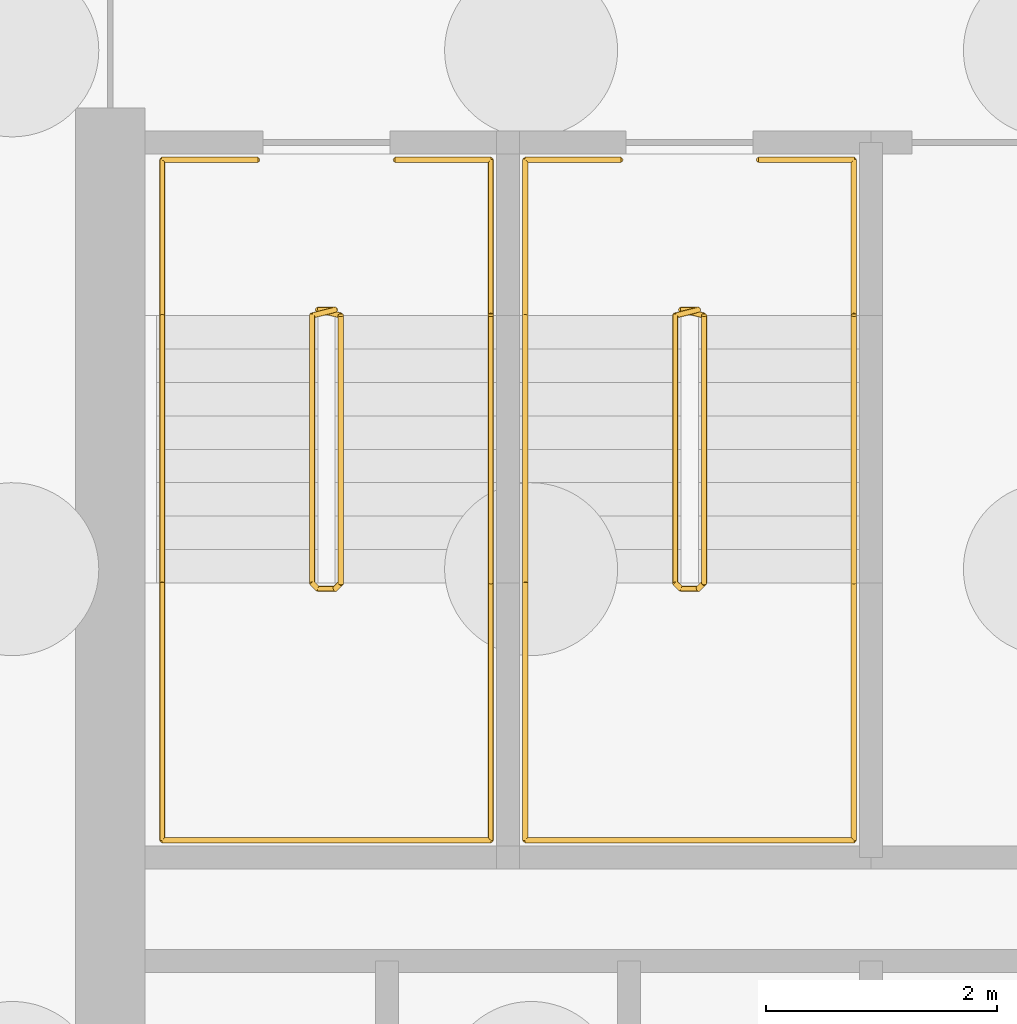
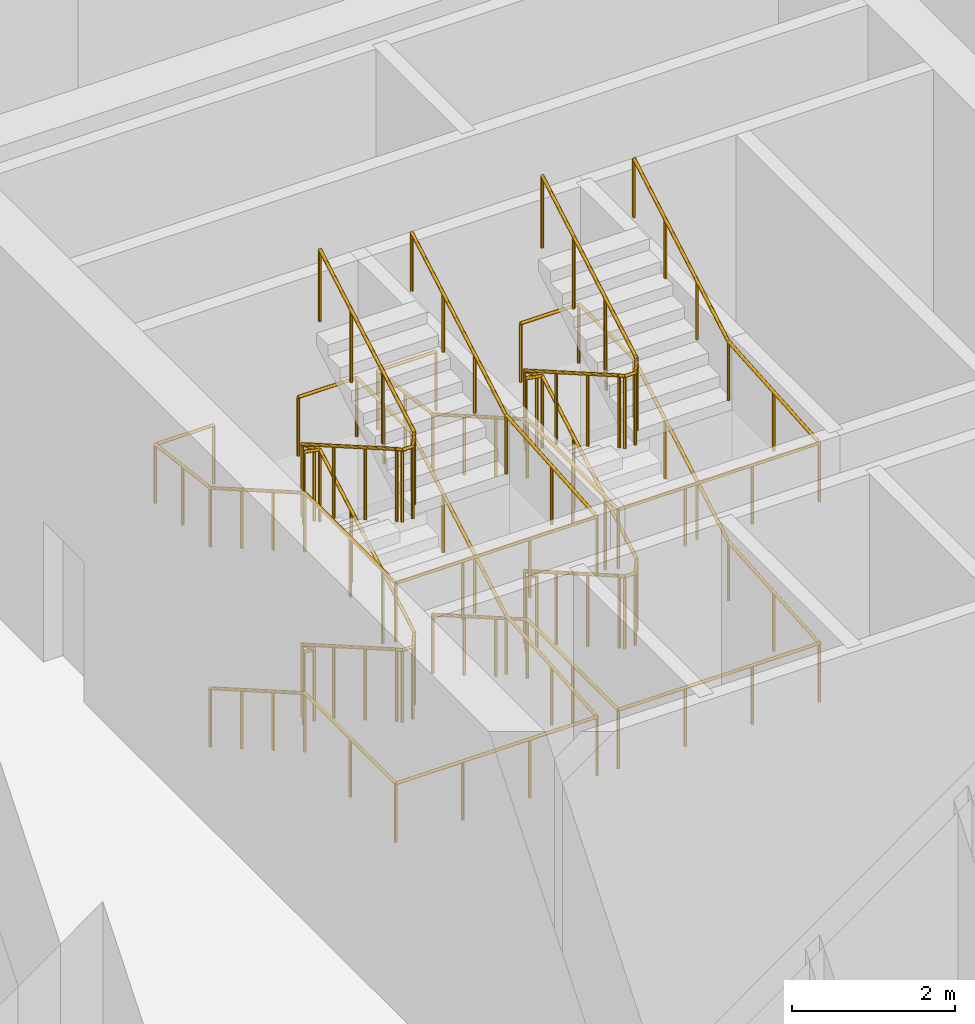
# One storey, part 23 of 26: 6 railings.
"""IFC4 building model written with IfcOpenShell, lengths in metres."""

from ifc_helpers import new_model, si_unit, direction, frame, origin, origin_2d, place, context, subcontext, project, spatial, circle, extrude, material, type_object, element, save


model = new_model("IFC4")

# Units and contexts
model_context = context("Model", 3, precision=1e-05, world=origin(), true_north=direction((0.0, 1.0)))
body_context = subcontext(model_context, "Body", "Model", "MODEL_VIEW")
ifc_project = project(units=[si_unit("LENGTHUNIT", "METRE"), si_unit("AREAUNIT", "SQUARE_METRE"), si_unit("VOLUMEUNIT", "CUBIC_METRE"), si_unit("PLANEANGLEUNIT", "RADIAN"), si_unit("MASSUNIT", "GRAM", prefix="KILO")], contexts=[model_context])

# Site, building, storey
site_placement = place(None, origin())
site = spatial("IfcSite", under=ifc_project, at=site_placement, CompositionType="ELEMENT")
building_placement = place(site_placement, origin())
building = spatial("IfcBuilding", under=site, at=building_placement, Name="Tessera Arch", CompositionType="ELEMENT")
storey_placement = place(building_placement, frame((0.0, 0.0, -6.0)))
storey = spatial("IfcBuildingStorey", under=building, at=storey_placement, Name="B1", CompositionType="ELEMENT", Elevation=-6.0)

# Railings
ifc_material_1 = material(Name="Painted steel balustrade", Category="steel")
railing_type_1 = type_object("IfcRailingType", Name="Stair guard 1100", PredefinedType="GUARDRAIL", material=ifc_material_1)
railing_1_placement = place(storey_placement, frame((7.699951171875, 43.75, 0.0)))
element("IfcRailing", 1, at=railing_1_placement, inside=storey, type_object=railing_type_1, Name="B1 S2a stair guard 1", PredefinedType="GUARDRAIL", context=body_context, shape_type="SweptSolid", body=[
    extrude(circle(Radius=0.02392578125, at=origin_2d()), frame((-0.00390625, 0.0, 1.076171875), z_axis=(1.0, 0.0, 0.0), x_axis=(0.0, 1.0, 0.0)), (0.0, 0.0, 1.0), 0.158203125),
    extrude(circle(Radius=0.02392578125, at=origin_2d()), frame((0.153076171875, 0.000732421875, 1.073486328125), z_axis=(-0.75457900375, -0.188644750937, 0.628509097026), x_axis=(0.242535625036, -0.970142500145, 0.0)), (0.0, 0.0, 1.0), 0.273193359375),
    extrude(circle(Radius=0.02392578125, at=origin_2d()), frame((-0.050048828125, -0.046630859375, 1.24072265625), z_axis=(0.0, -0.867033425039, 0.498249977285), x_axis=(1.0, 0.0, 0.0)), (0.0, 0.0, 1.0), 2.683837890625),
    extrude(circle(Radius=0.02392578125, at=origin_2d()), frame((-0.052978515625, -2.3671875, 2.576171875), z_axis=(0.708833529934, -0.705375805398, 0.0), x_axis=(0.705375805398, 0.708833529934, 0.0)), (0.0, 0.0, 1.0), 0.07861328125),
    extrude(circle(Radius=0.02392578125, at=origin_2d()), frame((-0.00390625, -2.419921875, 2.576171875), z_axis=(1.0, 0.0, 0.0), x_axis=(0.0, 1.0, 0.0)), (0.0, 0.0, 1.0), 0.158203125),
    extrude(circle(Radius=0.02392578125, at=origin_2d()), frame((0.14892578125, -2.421142578125, 2.572265625), z_axis=(0.275143339093, 0.275143339093, 0.92119068922), x_axis=(-0.707106781187, 0.707106781187, 0.0)), (0.0, 0.0, 1.0), 0.18896484375),
    extrude(circle(Radius=0.02392578125, at=origin_2d()), frame((0.199951171875, -2.37353515625, 2.74072265625), z_axis=(0.0, 0.867033425039, 0.498249977285), x_axis=(-1.0, 0.0, 0.0)), (0.0, 0.0, 1.0), 2.683837890625),
    extrude(circle(Radius=0.02392578125, at=origin_2d()), frame((0.203857421875, -0.051025390625, 4.076171875), z_axis=(-0.970072785993, 0.242814311512, 0.0), x_axis=(-0.242814311512, -0.970072785993, 0.0)), (0.0, 0.0, 1.0), 0.214111328125),
    extrude(circle(Radius=0.02392578125, at=origin_2d()), frame((-0.00390625, 0.0, 4.076171875), z_axis=(1.0, 0.0, 0.0), x_axis=(0.0, 1.0, 0.0)), (0.0, 0.0, 1.0), 0.158203125),
    extrude(circle(Radius=0.02392578125, at=origin_2d()), frame((0.153076171875, 0.000732421875, 4.073486328125), z_axis=(-0.75457900375, -0.188644750937, 0.628509097026), x_axis=(0.242535625036, -0.970142500145, 0.0)), (0.0, 0.0, 1.0), 0.273193359375),
    extrude(circle(Radius=0.02392578125, at=origin_2d()), frame((-0.050048828125, -0.046630859375, 4.24072265625), z_axis=(0.0, -0.867033425039, 0.498249977285), x_axis=(1.0, 0.0, 0.0)), (0.0, 0.0, 1.0), 2.683837890625),
    extrude(circle(Radius=0.02392578125, at=origin_2d()), frame((-0.052978515625, -2.3671875, 5.576171875), z_axis=(0.708833529934, -0.705375805398, 0.0), x_axis=(0.705375805398, 0.708833529934, 0.0)), (0.0, 0.0, 1.0), 0.07861328125),
    extrude(circle(Radius=0.02392578125, at=origin_2d()), frame((-0.00390625, -2.419921875, 5.576171875), z_axis=(1.0, 0.0, 0.0), x_axis=(0.0, 1.0, 0.0)), (0.0, 0.0, 1.0), 0.158203125),
    extrude(circle(Radius=0.02392578125, at=origin_2d()), frame((0.14892578125, -2.421142578125, 5.572265625), z_axis=(0.275143339093, 0.275143339093, 0.92119068922), x_axis=(-0.707106781187, 0.707106781187, 0.0)), (0.0, 0.0, 1.0), 0.18896484375),
    extrude(circle(Radius=0.02392578125, at=origin_2d()), frame((0.199951171875, -2.37353515625, 5.74072265625), z_axis=(0.0, 0.867033425039, 0.498249977285), x_axis=(-1.0, 0.0, 0.0)), (0.0, 0.0, 1.0), 2.683837890625),
    extrude(circle(Radius=0.02099609375, at=origin_2d()), origin(), (0.0, 0.0, 1.0), 1.06396484375),
    extrude(circle(Radius=0.02099609375, at=origin_2d()), frame((0.150146484375, 0.0, 0.0)), (0.0, 0.0, 1.0), 1.06396484375),
    extrude(circle(Radius=0.02099609375, at=origin_2d()), frame((-0.050048828125, -0.050048828125, 0.166748046875)), (0.0, 0.0, 1.0), 1.06396484375),
    extrude(circle(Radius=0.02099609375, at=origin_2d()), frame((-0.050048828125, -0.823486328125, 0.611083984375)), (0.0, 0.0, 1.0), 1.06396484375),
    extrude(circle(Radius=0.02099609375, at=origin_2d()), frame((-0.050048828125, -1.5966796875, 1.0556640625)), (0.0, 0.0, 1.0), 1.06396484375),
    extrude(circle(Radius=0.02099609375, at=origin_2d()), frame((-0.050048828125, -2.3701171875, 1.5)), (0.0, 0.0, 1.0), 1.06396484375),
    extrude(circle(Radius=0.02099609375, at=origin_2d()), frame((0.0, -2.419921875, 1.5)), (0.0, 0.0, 1.0), 1.06396484375),
    extrude(circle(Radius=0.02099609375, at=origin_2d()), frame((0.150146484375, -2.419921875, 1.5)), (0.0, 0.0, 1.0), 1.06396484375),
    extrude(circle(Radius=0.02099609375, at=origin_2d()), frame((0.199951171875, -2.3701171875, 1.666748046875)), (0.0, 0.0, 1.0), 1.06396484375),
    extrude(circle(Radius=0.02099609375, at=origin_2d()), frame((0.199951171875, -1.5966796875, 2.111083984375)), (0.0, 0.0, 1.0), 1.06396484375),
    extrude(circle(Radius=0.02099609375, at=origin_2d()), frame((0.199951171875, -0.823486328125, 2.5556640625)), (0.0, 0.0, 1.0), 1.06396484375),
    extrude(circle(Radius=0.02099609375, at=origin_2d()), frame((0.199951171875, -0.050048828125, 3.0)), (0.0, 0.0, 1.0), 1.06396484375),
    extrude(circle(Radius=0.02099609375, at=origin_2d()), frame((0.0, 0.0, 3.0)), (0.0, 0.0, 1.0), 1.06396484375),
    extrude(circle(Radius=0.02099609375, at=origin_2d()), frame((0.150146484375, 0.0, 3.0)), (0.0, 0.0, 1.0), 1.06396484375),
    extrude(circle(Radius=0.02099609375, at=origin_2d()), frame((-0.050048828125, -0.050048828125, 3.166748046875)), (0.0, 0.0, 1.0), 1.06396484375),
    extrude(circle(Radius=0.02099609375, at=origin_2d()), frame((-0.050048828125, -0.823486328125, 3.611083984375)), (0.0, 0.0, 1.0), 1.06396484375),
    extrude(circle(Radius=0.02099609375, at=origin_2d()), frame((-0.050048828125, -1.5966796875, 4.0556640625)), (0.0, 0.0, 1.0), 1.06396484375),
    extrude(circle(Radius=0.02099609375, at=origin_2d()), frame((-0.050048828125, -2.3701171875, 4.5)), (0.0, 0.0, 1.0), 1.06396484375),
    extrude(circle(Radius=0.02099609375, at=origin_2d()), frame((0.0, -2.419921875, 4.5)), (0.0, 0.0, 1.0), 1.06396484375),
    extrude(circle(Radius=0.02099609375, at=origin_2d()), frame((0.150146484375, -2.419921875, 4.5)), (0.0, 0.0, 1.0), 1.06396484375),
    extrude(circle(Radius=0.02099609375, at=origin_2d()), frame((0.199951171875, -2.3701171875, 4.666748046875)), (0.0, 0.0, 1.0), 1.06396484375),
    extrude(circle(Radius=0.02099609375, at=origin_2d()), frame((0.199951171875, -1.5966796875, 5.111083984375)), (0.0, 0.0, 1.0), 1.06396484375),
    extrude(circle(Radius=0.02099609375, at=origin_2d()), frame((0.199951171875, -0.823486328125, 5.5556640625)), (0.0, 0.0, 1.0), 1.06396484375),
    extrude(circle(Radius=0.02099609375, at=origin_2d()), frame((0.199951171875, -0.050048828125, 6.0)), (0.0, 0.0, 1.0), 1.06396484375),
])
railing_2_placement = place(storey_placement, frame((10.85009765625, 43.75, 0.0)))
element("IfcRailing", 2, at=railing_2_placement, inside=storey, type_object=railing_type_1, Name="B1 S2b stair guard 1", PredefinedType="GUARDRAIL", context=body_context, shape_type="SweptSolid", body=[
    extrude(circle(Radius=0.02392578125, at=origin_2d()), frame((-0.00390625, 0.0, 1.076171875), z_axis=(1.0, 0.0, 0.0), x_axis=(0.0, 1.0, 0.0)), (0.0, 0.0, 1.0), 0.157958984375),
    extrude(circle(Radius=0.02392578125, at=origin_2d()), frame((0.15283203125, 0.000732421875, 1.073486328125), z_axis=(-0.754182335027, -0.188775798145, 0.628945707965), x_axis=(0.242814311512, -0.970072785993, 0.0)), (0.0, 0.0, 1.0), 0.273193359375),
    extrude(circle(Radius=0.02392578125, at=origin_2d()), frame((-0.050048828125, -0.046630859375, 1.24072265625), z_axis=(0.0, -0.867033425039, 0.498249977285), x_axis=(1.0, 0.0, 0.0)), (0.0, 0.0, 1.0), 2.683837890625),
    extrude(circle(Radius=0.02392578125, at=origin_2d()), frame((-0.052978515625, -2.3671875, 2.576171875), z_axis=(0.708833529934, -0.705375805398, 0.0), x_axis=(0.705375805398, 0.708833529934, 0.0)), (0.0, 0.0, 1.0), 0.07861328125),
    extrude(circle(Radius=0.02392578125, at=origin_2d()), frame((-0.00390625, -2.419921875, 2.576171875), z_axis=(1.0, 0.0, 0.0), x_axis=(0.0, 1.0, 0.0)), (0.0, 0.0, 1.0), 0.157958984375),
    extrude(circle(Radius=0.02392578125, at=origin_2d()), frame((0.148681640625, -2.421142578125, 2.572265625), z_axis=(0.276389281352, 0.275041040955, 0.920848191041), x_axis=(-0.705375805398, 0.708833529934, 0.0)), (0.0, 0.0, 1.0), 0.18896484375),
    extrude(circle(Radius=0.02392578125, at=origin_2d()), frame((0.199951171875, -2.37353515625, 2.74072265625), z_axis=(0.0, 0.867033425039, 0.498249977285), x_axis=(-1.0, 0.0, 0.0)), (0.0, 0.0, 1.0), 2.683837890625),
    extrude(circle(Radius=0.02392578125, at=origin_2d()), frame((0.203857421875, -0.051025390625, 4.076171875), z_axis=(-0.970072785993, 0.242814311512, 0.0), x_axis=(-0.242814311512, -0.970072785993, 0.0)), (0.0, 0.0, 1.0), 0.214111328125),
    extrude(circle(Radius=0.02392578125, at=origin_2d()), frame((-0.00390625, 0.0, 4.076171875), z_axis=(1.0, 0.0, 0.0), x_axis=(0.0, 1.0, 0.0)), (0.0, 0.0, 1.0), 0.157958984375),
    extrude(circle(Radius=0.02392578125, at=origin_2d()), frame((0.15283203125, 0.000732421875, 4.073486328125), z_axis=(-0.754182335027, -0.188775798145, 0.628945707965), x_axis=(0.242814311512, -0.970072785993, 0.0)), (0.0, 0.0, 1.0), 0.273193359375),
    extrude(circle(Radius=0.02392578125, at=origin_2d()), frame((-0.050048828125, -0.046630859375, 4.24072265625), z_axis=(0.0, -0.867033425039, 0.498249977285), x_axis=(1.0, 0.0, 0.0)), (0.0, 0.0, 1.0), 2.683837890625),
    extrude(circle(Radius=0.02392578125, at=origin_2d()), frame((-0.052978515625, -2.3671875, 5.576171875), z_axis=(0.708833529934, -0.705375805398, 0.0), x_axis=(0.705375805398, 0.708833529934, 0.0)), (0.0, 0.0, 1.0), 0.07861328125),
    extrude(circle(Radius=0.02392578125, at=origin_2d()), frame((-0.00390625, -2.419921875, 5.576171875), z_axis=(1.0, 0.0, 0.0), x_axis=(0.0, 1.0, 0.0)), (0.0, 0.0, 1.0), 0.157958984375),
    extrude(circle(Radius=0.02392578125, at=origin_2d()), frame((0.148681640625, -2.421142578125, 5.572265625), z_axis=(0.276389281352, 0.275041040955, 0.920848191041), x_axis=(-0.705375805398, 0.708833529934, 0.0)), (0.0, 0.0, 1.0), 0.18896484375),
    extrude(circle(Radius=0.02392578125, at=origin_2d()), frame((0.199951171875, -2.37353515625, 5.74072265625), z_axis=(0.0, 0.867033425039, 0.498249977285), x_axis=(-1.0, 0.0, 0.0)), (0.0, 0.0, 1.0), 2.683837890625),
    extrude(circle(Radius=0.02099609375, at=origin_2d()), origin(), (0.0, 0.0, 1.0), 1.06396484375),
    extrude(circle(Radius=0.02099609375, at=origin_2d()), frame((0.14990234375, 0.0, 0.0)), (0.0, 0.0, 1.0), 1.06396484375),
    extrude(circle(Radius=0.02099609375, at=origin_2d()), frame((-0.050048828125, -0.050048828125, 0.166748046875)), (0.0, 0.0, 1.0), 1.06396484375),
    extrude(circle(Radius=0.02099609375, at=origin_2d()), frame((-0.050048828125, -0.823486328125, 0.611083984375)), (0.0, 0.0, 1.0), 1.06396484375),
    extrude(circle(Radius=0.02099609375, at=origin_2d()), frame((-0.050048828125, -1.5966796875, 1.0556640625)), (0.0, 0.0, 1.0), 1.06396484375),
    extrude(circle(Radius=0.02099609375, at=origin_2d()), frame((-0.050048828125, -2.3701171875, 1.5)), (0.0, 0.0, 1.0), 1.06396484375),
    extrude(circle(Radius=0.02099609375, at=origin_2d()), frame((0.0, -2.419921875, 1.5)), (0.0, 0.0, 1.0), 1.06396484375),
    extrude(circle(Radius=0.02099609375, at=origin_2d()), frame((0.14990234375, -2.419921875, 1.5)), (0.0, 0.0, 1.0), 1.06396484375),
    extrude(circle(Radius=0.02099609375, at=origin_2d()), frame((0.199951171875, -2.3701171875, 1.666748046875)), (0.0, 0.0, 1.0), 1.06396484375),
    extrude(circle(Radius=0.02099609375, at=origin_2d()), frame((0.199951171875, -1.5966796875, 2.111083984375)), (0.0, 0.0, 1.0), 1.06396484375),
    extrude(circle(Radius=0.02099609375, at=origin_2d()), frame((0.199951171875, -0.823486328125, 2.5556640625)), (0.0, 0.0, 1.0), 1.06396484375),
    extrude(circle(Radius=0.02099609375, at=origin_2d()), frame((0.199951171875, -0.050048828125, 3.0)), (0.0, 0.0, 1.0), 1.06396484375),
    extrude(circle(Radius=0.02099609375, at=origin_2d()), frame((0.0, 0.0, 3.0)), (0.0, 0.0, 1.0), 1.06396484375),
    extrude(circle(Radius=0.02099609375, at=origin_2d()), frame((0.14990234375, 0.0, 3.0)), (0.0, 0.0, 1.0), 1.06396484375),
    extrude(circle(Radius=0.02099609375, at=origin_2d()), frame((-0.050048828125, -0.050048828125, 3.166748046875)), (0.0, 0.0, 1.0), 1.06396484375),
    extrude(circle(Radius=0.02099609375, at=origin_2d()), frame((-0.050048828125, -0.823486328125, 3.611083984375)), (0.0, 0.0, 1.0), 1.06396484375),
    extrude(circle(Radius=0.02099609375, at=origin_2d()), frame((-0.050048828125, -1.5966796875, 4.0556640625)), (0.0, 0.0, 1.0), 1.06396484375),
    extrude(circle(Radius=0.02099609375, at=origin_2d()), frame((-0.050048828125, -2.3701171875, 4.5)), (0.0, 0.0, 1.0), 1.06396484375),
    extrude(circle(Radius=0.02099609375, at=origin_2d()), frame((0.0, -2.419921875, 4.5)), (0.0, 0.0, 1.0), 1.06396484375),
    extrude(circle(Radius=0.02099609375, at=origin_2d()), frame((0.14990234375, -2.419921875, 4.5)), (0.0, 0.0, 1.0), 1.06396484375),
    extrude(circle(Radius=0.02099609375, at=origin_2d()), frame((0.199951171875, -2.3701171875, 4.666748046875)), (0.0, 0.0, 1.0), 1.06396484375),
    extrude(circle(Radius=0.02099609375, at=origin_2d()), frame((0.199951171875, -1.5966796875, 5.111083984375)), (0.0, 0.0, 1.0), 1.06396484375),
    extrude(circle(Radius=0.02099609375, at=origin_2d()), frame((0.199951171875, -0.823486328125, 5.5556640625)), (0.0, 0.0, 1.0), 1.06396484375),
    extrude(circle(Radius=0.02099609375, at=origin_2d()), frame((0.199951171875, -0.050048828125, 6.0)), (0.0, 0.0, 1.0), 1.06396484375),
])
ifc_material_2 = material(Name="Painted steel handrail", Category="steel")
railing_type_2 = type_object("IfcRailingType", Name="Stair handrail 900", PredefinedType="HANDRAIL", material=ifc_material_2)
railing_3_placement = place(storey_placement, frame((6.35009765625, 43.699951171875, 0.166748046875)))
element("IfcRailing", 3, at=railing_3_placement, inside=storey, type_object=railing_type_2, Name="B1 S2a stair handrail", PredefinedType="HANDRAIL", context=body_context, shape_type="SweptSolid", body=[
    extrude(circle(Radius=0.02392578125, at=origin_2d()), frame((0.0, 0.00341796875, 0.873779296875), z_axis=(0.0, -0.867033425039, 0.498249977285), x_axis=(1.0, 0.0, 0.0)), (0.0, 0.0, 1.0), 2.683837890625),
    extrude(circle(Radius=0.02392578125, at=origin_2d()), frame((0.0, -2.316162109375, 2.208984375), z_axis=(0.0, -1.0, 0.0), x_axis=(1.0, 0.0, 0.0)), (0.0, 0.0, 1.0), 2.238037109375),
    extrude(circle(Radius=0.02392578125, at=origin_2d()), frame((-0.00390625, -4.550048828125, 2.208984375), z_axis=(1.0, 0.0, 0.0), x_axis=(0.0, 1.0, 0.0)), (0.0, 0.0, 1.0), 2.85791015625),
    extrude(circle(Radius=0.02392578125, at=origin_2d()), frame((2.849853515625, -4.553955078125, 2.208740234375), z_axis=(0.0, 0.997215977011, 0.074567386939), x_axis=(-1.0, 0.0, 0.0)), (0.0, 0.0, 1.0), 2.244140625),
    extrude(circle(Radius=0.02392578125, at=origin_2d()), frame((2.849853515625, -2.323486328125, 2.373779296875), z_axis=(0.0, 0.867033425039, 0.498249977285), x_axis=(-1.0, 0.0, 0.0)), (0.0, 0.0, 1.0), 2.683837890625),
    extrude(circle(Radius=0.02392578125, at=origin_2d()), frame((2.849853515625, -0.00390625, 3.708984375), z_axis=(0.0, 1.0, 0.0), x_axis=(-1.0, 0.0, 0.0)), (0.0, 0.0, 1.0), 1.358154296875),
    extrude(circle(Radius=0.02392578125, at=origin_2d()), frame((2.853759765625, 1.35009765625, 3.708984375), z_axis=(-1.0, 0.0, 0.0), x_axis=(0.0, -1.0, 0.0)), (0.0, 0.0, 1.0), 0.8330078125),
    extrude(circle(Radius=0.02099609375, at=origin_2d()), origin(), (0.0, 0.0, 1.0), 0.86376953125),
    extrude(circle(Radius=0.02099609375, at=origin_2d()), frame((0.0, -0.7734375, 0.4443359375)), (0.0, 0.0, 1.0), 0.86376953125),
    extrude(circle(Radius=0.02099609375, at=origin_2d()), frame((0.0, -1.546630859375, 0.888916015625)), (0.0, 0.0, 1.0), 0.86376953125),
    extrude(circle(Radius=0.02099609375, at=origin_2d()), frame((0.0, -2.320068359375, 1.333251953125)), (0.0, 0.0, 1.0), 0.86376953125),
    extrude(circle(Radius=0.02099609375, at=origin_2d()), frame((0.0, -3.43505859375, 1.333251953125)), (0.0, 0.0, 1.0), 0.86376953125),
    extrude(circle(Radius=0.02099609375, at=origin_2d()), frame((0.0, -4.550048828125, 1.333251953125)), (0.0, 0.0, 1.0), 0.86376953125),
    extrude(circle(Radius=0.02099609375, at=origin_2d()), frame((0.949951171875, -4.550048828125, 1.333251953125)), (0.0, 0.0, 1.0), 0.86376953125),
    extrude(circle(Radius=0.02099609375, at=origin_2d()), frame((1.89990234375, -4.550048828125, 1.333251953125)), (0.0, 0.0, 1.0), 0.86376953125),
    extrude(circle(Radius=0.02099609375, at=origin_2d()), frame((2.849853515625, -4.550048828125, 1.333251953125)), (0.0, 0.0, 1.0), 0.86376953125),
    extrude(circle(Radius=0.02099609375, at=origin_2d()), frame((2.849853515625, -3.43505859375, 1.41650390625)), (0.0, 0.0, 1.0), 0.86376953125),
    extrude(circle(Radius=0.02099609375, at=origin_2d()), frame((2.849853515625, -2.320068359375, 1.5)), (0.0, 0.0, 1.0), 0.86376953125),
    extrude(circle(Radius=0.02099609375, at=origin_2d()), frame((2.849853515625, -1.546630859375, 1.9443359375)), (0.0, 0.0, 1.0), 0.86376953125),
    extrude(circle(Radius=0.02099609375, at=origin_2d()), frame((2.849853515625, -0.7734375, 2.388916015625)), (0.0, 0.0, 1.0), 0.86376953125),
    extrude(circle(Radius=0.02099609375, at=origin_2d()), frame((2.849853515625, 0.0, 2.833251953125)), (0.0, 0.0, 1.0), 0.86376953125),
    extrude(circle(Radius=0.02099609375, at=origin_2d()), frame((2.849853515625, 0.675048828125, 2.833251953125)), (0.0, 0.0, 1.0), 0.86376953125),
    extrude(circle(Radius=0.02099609375, at=origin_2d()), frame((2.849853515625, 1.35009765625, 2.833251953125)), (0.0, 0.0, 1.0), 0.86376953125),
    extrude(circle(Radius=0.02099609375, at=origin_2d()), frame((2.02490234375, 1.35009765625, 2.833251953125)), (0.0, 0.0, 1.0), 0.86376953125),
])
railing_4_placement = place(storey_placement, frame((7.175048828125, 45.050048828125, 3.0)))
element("IfcRailing", 4, at=railing_4_placement, inside=storey, type_object=railing_type_2, Name="B1 S2a stair handrail 2", PredefinedType="HANDRAIL", context=body_context, shape_type="SweptSolid", body=[
    extrude(circle(Radius=0.02392578125, at=origin_2d()), frame((0.00390625, 0.0, 0.8759765625), z_axis=(-1.0, 0.0, 0.0), x_axis=(0.0, -1.0, 0.0)), (0.0, 0.0, 1.0), 0.8330078125),
    extrude(circle(Radius=0.02392578125, at=origin_2d()), frame((-0.824951171875, 0.00390625, 0.875244140625), z_axis=(0.0, -0.992459035033, 0.122576766895), x_axis=(1.0, 0.0, 0.0)), (0.0, 0.0, 1.0), 1.368408203125),
    extrude(circle(Radius=0.02392578125, at=origin_2d()), frame((-0.824951171875, -1.3466796875, 1.04052734375), z_axis=(0.0, -0.867033425039, 0.498249977285), x_axis=(1.0, 0.0, 0.0)), (0.0, 0.0, 1.0), 2.683837890625),
    extrude(circle(Radius=0.02392578125, at=origin_2d()), frame((-0.824951171875, -3.666259765625, 2.3759765625), z_axis=(0.0, -1.0, 0.0), x_axis=(1.0, 0.0, 0.0)), (0.0, 0.0, 1.0), 2.238037109375),
    extrude(circle(Radius=0.02392578125, at=origin_2d()), frame((-0.828857421875, -5.900146484375, 2.3759765625), z_axis=(1.0, 0.0, 0.0), x_axis=(0.0, 1.0, 0.0)), (0.0, 0.0, 1.0), 2.85791015625),
    extrude(circle(Radius=0.02392578125, at=origin_2d()), frame((2.02490234375, -5.904052734375, 2.37548828125), z_axis=(0.0, 0.997215977011, 0.074567386939), x_axis=(-1.0, 0.0, 0.0)), (0.0, 0.0, 1.0), 2.244140625),
    extrude(circle(Radius=0.02392578125, at=origin_2d()), frame((2.02490234375, -3.673583984375, 2.54052734375), z_axis=(0.0, 0.867033425039, 0.498249977285), x_axis=(-1.0, 0.0, 0.0)), (0.0, 0.0, 1.0), 2.683837890625),
    extrude(circle(Radius=0.02099609375, at=origin_2d()), origin(), (0.0, 0.0, 1.0), 0.86376953125),
    extrude(circle(Radius=0.02099609375, at=origin_2d()), frame((-0.824951171875, 0.0, 0.0)), (0.0, 0.0, 1.0), 0.86376953125),
    extrude(circle(Radius=0.02099609375, at=origin_2d()), frame((-0.824951171875, -0.675048828125, 0.08349609375)), (0.0, 0.0, 1.0), 0.86376953125),
    extrude(circle(Radius=0.02099609375, at=origin_2d()), frame((-0.824951171875, -1.35009765625, 0.166748046875)), (0.0, 0.0, 1.0), 0.86376953125),
    extrude(circle(Radius=0.02099609375, at=origin_2d()), frame((-0.824951171875, -2.12353515625, 0.611083984375)), (0.0, 0.0, 1.0), 0.86376953125),
    extrude(circle(Radius=0.02099609375, at=origin_2d()), frame((-0.824951171875, -2.896728515625, 1.0556640625)), (0.0, 0.0, 1.0), 0.86376953125),
    extrude(circle(Radius=0.02099609375, at=origin_2d()), frame((-0.824951171875, -3.670166015625, 1.5)), (0.0, 0.0, 1.0), 0.86376953125),
    extrude(circle(Radius=0.02099609375, at=origin_2d()), frame((-0.824951171875, -4.78515625, 1.5)), (0.0, 0.0, 1.0), 0.86376953125),
    extrude(circle(Radius=0.02099609375, at=origin_2d()), frame((-0.824951171875, -5.900146484375, 1.5)), (0.0, 0.0, 1.0), 0.86376953125),
    extrude(circle(Radius=0.02099609375, at=origin_2d()), frame((0.125, -5.900146484375, 1.5)), (0.0, 0.0, 1.0), 0.86376953125),
    extrude(circle(Radius=0.02099609375, at=origin_2d()), frame((1.074951171875, -5.900146484375, 1.5)), (0.0, 0.0, 1.0), 0.86376953125),
    extrude(circle(Radius=0.02099609375, at=origin_2d()), frame((2.02490234375, -5.900146484375, 1.5)), (0.0, 0.0, 1.0), 0.86376953125),
    extrude(circle(Radius=0.02099609375, at=origin_2d()), frame((2.02490234375, -4.78515625, 1.58349609375)), (0.0, 0.0, 1.0), 0.86376953125),
    extrude(circle(Radius=0.02099609375, at=origin_2d()), frame((2.02490234375, -3.670166015625, 1.666748046875)), (0.0, 0.0, 1.0), 0.86376953125),
    extrude(circle(Radius=0.02099609375, at=origin_2d()), frame((2.02490234375, -2.896728515625, 2.111083984375)), (0.0, 0.0, 1.0), 0.86376953125),
    extrude(circle(Radius=0.02099609375, at=origin_2d()), frame((2.02490234375, -2.12353515625, 2.5556640625)), (0.0, 0.0, 1.0), 0.86376953125),
    extrude(circle(Radius=0.02099609375, at=origin_2d()), frame((2.02490234375, -1.35009765625, 3.0)), (0.0, 0.0, 1.0), 0.86376953125),
])
railing_5_placement = place(storey_placement, frame((9.5, 43.699951171875, 0.166748046875)))
element("IfcRailing", 5, at=railing_5_placement, inside=storey, type_object=railing_type_2, Name="B1 S2b stair handrail", PredefinedType="HANDRAIL", context=body_context, shape_type="SweptSolid", body=[
    extrude(circle(Radius=0.02392578125, at=origin_2d()), frame((0.0, 0.00341796875, 0.873779296875), z_axis=(0.0, -0.867033425039, 0.498249977285), x_axis=(1.0, 0.0, 0.0)), (0.0, 0.0, 1.0), 2.683837890625),
    extrude(circle(Radius=0.02392578125, at=origin_2d()), frame((0.0, -2.316162109375, 2.208984375), z_axis=(0.0, -1.0, 0.0), x_axis=(1.0, 0.0, 0.0)), (0.0, 0.0, 1.0), 2.238037109375),
    extrude(circle(Radius=0.02392578125, at=origin_2d()), frame((-0.00390625, -4.550048828125, 2.208984375), z_axis=(1.0, 0.0, 0.0), x_axis=(0.0, 1.0, 0.0)), (0.0, 0.0, 1.0), 2.858154296875),
    extrude(circle(Radius=0.02392578125, at=origin_2d()), frame((2.85009765625, -4.553955078125, 2.208740234375), z_axis=(0.0, 0.997215977011, 0.074567386939), x_axis=(-1.0, 0.0, 0.0)), (0.0, 0.0, 1.0), 2.244140625),
    extrude(circle(Radius=0.02392578125, at=origin_2d()), frame((2.85009765625, -2.323486328125, 2.373779296875), z_axis=(0.0, 0.867033425039, 0.498249977285), x_axis=(-1.0, 0.0, 0.0)), (0.0, 0.0, 1.0), 2.683837890625),
    extrude(circle(Radius=0.02392578125, at=origin_2d()), frame((2.85009765625, -0.00390625, 3.708984375), z_axis=(0.0, 1.0, 0.0), x_axis=(-1.0, 0.0, 0.0)), (0.0, 0.0, 1.0), 1.358154296875),
    extrude(circle(Radius=0.02392578125, at=origin_2d()), frame((2.85400390625, 1.35009765625, 3.708984375), z_axis=(-1.0, 0.0, 0.0), x_axis=(0.0, -1.0, 0.0)), (0.0, 0.0, 1.0), 0.833251953125),
    extrude(circle(Radius=0.02099609375, at=origin_2d()), origin(), (0.0, 0.0, 1.0), 0.86376953125),
    extrude(circle(Radius=0.02099609375, at=origin_2d()), frame((0.0, -0.7734375, 0.4443359375)), (0.0, 0.0, 1.0), 0.86376953125),
    extrude(circle(Radius=0.02099609375, at=origin_2d()), frame((0.0, -1.546630859375, 0.888916015625)), (0.0, 0.0, 1.0), 0.86376953125),
    extrude(circle(Radius=0.02099609375, at=origin_2d()), frame((0.0, -2.320068359375, 1.333251953125)), (0.0, 0.0, 1.0), 0.86376953125),
    extrude(circle(Radius=0.02099609375, at=origin_2d()), frame((0.0, -3.43505859375, 1.333251953125)), (0.0, 0.0, 1.0), 0.86376953125),
    extrude(circle(Radius=0.02099609375, at=origin_2d()), frame((0.0, -4.550048828125, 1.333251953125)), (0.0, 0.0, 1.0), 0.86376953125),
    extrude(circle(Radius=0.02099609375, at=origin_2d()), frame((0.949951171875, -4.550048828125, 1.333251953125)), (0.0, 0.0, 1.0), 0.86376953125),
    extrude(circle(Radius=0.02099609375, at=origin_2d()), frame((1.900146484375, -4.550048828125, 1.333251953125)), (0.0, 0.0, 1.0), 0.86376953125),
    extrude(circle(Radius=0.02099609375, at=origin_2d()), frame((2.85009765625, -4.550048828125, 1.333251953125)), (0.0, 0.0, 1.0), 0.86376953125),
    extrude(circle(Radius=0.02099609375, at=origin_2d()), frame((2.85009765625, -3.43505859375, 1.41650390625)), (0.0, 0.0, 1.0), 0.86376953125),
    extrude(circle(Radius=0.02099609375, at=origin_2d()), frame((2.85009765625, -2.320068359375, 1.5)), (0.0, 0.0, 1.0), 0.86376953125),
    extrude(circle(Radius=0.02099609375, at=origin_2d()), frame((2.85009765625, -1.546630859375, 1.9443359375)), (0.0, 0.0, 1.0), 0.86376953125),
    extrude(circle(Radius=0.02099609375, at=origin_2d()), frame((2.85009765625, -0.7734375, 2.388916015625)), (0.0, 0.0, 1.0), 0.86376953125),
    extrude(circle(Radius=0.02099609375, at=origin_2d()), frame((2.85009765625, 0.0, 2.833251953125)), (0.0, 0.0, 1.0), 0.86376953125),
    extrude(circle(Radius=0.02099609375, at=origin_2d()), frame((2.85009765625, 0.675048828125, 2.833251953125)), (0.0, 0.0, 1.0), 0.86376953125),
    extrude(circle(Radius=0.02099609375, at=origin_2d()), frame((2.85009765625, 1.35009765625, 2.833251953125)), (0.0, 0.0, 1.0), 0.86376953125),
    extrude(circle(Radius=0.02099609375, at=origin_2d()), frame((2.02490234375, 1.35009765625, 2.833251953125)), (0.0, 0.0, 1.0), 0.86376953125),
])
railing_6_placement = place(storey_placement, frame((10.324951171875, 45.050048828125, 3.0)))
element("IfcRailing", 6, at=railing_6_placement, inside=storey, type_object=railing_type_2, Name="B1 S2b stair handrail 2", PredefinedType="HANDRAIL", context=body_context, shape_type="SweptSolid", body=[
    extrude(circle(Radius=0.02392578125, at=origin_2d()), frame((0.00390625, 0.0, 0.8759765625), z_axis=(-1.0, 0.0, 0.0), x_axis=(0.0, -1.0, 0.0)), (0.0, 0.0, 1.0), 0.8330078125),
    extrude(circle(Radius=0.02392578125, at=origin_2d()), frame((-0.824951171875, 0.00390625, 0.875244140625), z_axis=(0.0, -0.992459035033, 0.122576766895), x_axis=(1.0, 0.0, 0.0)), (0.0, 0.0, 1.0), 1.368408203125),
    extrude(circle(Radius=0.02392578125, at=origin_2d()), frame((-0.824951171875, -1.3466796875, 1.04052734375), z_axis=(0.0, -0.867033425039, 0.498249977285), x_axis=(1.0, 0.0, 0.0)), (0.0, 0.0, 1.0), 2.683837890625),
    extrude(circle(Radius=0.02392578125, at=origin_2d()), frame((-0.824951171875, -3.666259765625, 2.3759765625), z_axis=(0.0, -1.0, 0.0), x_axis=(1.0, 0.0, 0.0)), (0.0, 0.0, 1.0), 2.238037109375),
    extrude(circle(Radius=0.02392578125, at=origin_2d()), frame((-0.828857421875, -5.900146484375, 2.3759765625), z_axis=(1.0, 0.0, 0.0), x_axis=(0.0, 1.0, 0.0)), (0.0, 0.0, 1.0), 2.858154296875),
    extrude(circle(Radius=0.02392578125, at=origin_2d()), frame((2.025146484375, -5.904052734375, 2.37548828125), z_axis=(0.0, 0.997215977011, 0.074567386939), x_axis=(-1.0, 0.0, 0.0)), (0.0, 0.0, 1.0), 2.244140625),
    extrude(circle(Radius=0.02392578125, at=origin_2d()), frame((2.025146484375, -3.673583984375, 2.54052734375), z_axis=(0.0, 0.867033425039, 0.498249977285), x_axis=(-1.0, 0.0, 0.0)), (0.0, 0.0, 1.0), 2.683837890625),
    extrude(circle(Radius=0.02099609375, at=origin_2d()), origin(), (0.0, 0.0, 1.0), 0.86376953125),
    extrude(circle(Radius=0.02099609375, at=origin_2d()), frame((-0.824951171875, 0.0, 0.0)), (0.0, 0.0, 1.0), 0.86376953125),
    extrude(circle(Radius=0.02099609375, at=origin_2d()), frame((-0.824951171875, -0.675048828125, 0.08349609375)), (0.0, 0.0, 1.0), 0.86376953125),
    extrude(circle(Radius=0.02099609375, at=origin_2d()), frame((-0.824951171875, -1.35009765625, 0.166748046875)), (0.0, 0.0, 1.0), 0.86376953125),
    extrude(circle(Radius=0.02099609375, at=origin_2d()), frame((-0.824951171875, -2.12353515625, 0.611083984375)), (0.0, 0.0, 1.0), 0.86376953125),
    extrude(circle(Radius=0.02099609375, at=origin_2d()), frame((-0.824951171875, -2.896728515625, 1.0556640625)), (0.0, 0.0, 1.0), 0.86376953125),
    extrude(circle(Radius=0.02099609375, at=origin_2d()), frame((-0.824951171875, -3.670166015625, 1.5)), (0.0, 0.0, 1.0), 0.86376953125),
    extrude(circle(Radius=0.02099609375, at=origin_2d()), frame((-0.824951171875, -4.78515625, 1.5)), (0.0, 0.0, 1.0), 0.86376953125),
    extrude(circle(Radius=0.02099609375, at=origin_2d()), frame((-0.824951171875, -5.900146484375, 1.5)), (0.0, 0.0, 1.0), 0.86376953125),
    extrude(circle(Radius=0.02099609375, at=origin_2d()), frame((0.125, -5.900146484375, 1.5)), (0.0, 0.0, 1.0), 0.86376953125),
    extrude(circle(Radius=0.02099609375, at=origin_2d()), frame((1.0751953125, -5.900146484375, 1.5)), (0.0, 0.0, 1.0), 0.86376953125),
    extrude(circle(Radius=0.02099609375, at=origin_2d()), frame((2.025146484375, -5.900146484375, 1.5)), (0.0, 0.0, 1.0), 0.86376953125),
    extrude(circle(Radius=0.02099609375, at=origin_2d()), frame((2.025146484375, -4.78515625, 1.58349609375)), (0.0, 0.0, 1.0), 0.86376953125),
    extrude(circle(Radius=0.02099609375, at=origin_2d()), frame((2.025146484375, -3.670166015625, 1.666748046875)), (0.0, 0.0, 1.0), 0.86376953125),
    extrude(circle(Radius=0.02099609375, at=origin_2d()), frame((2.025146484375, -2.896728515625, 2.111083984375)), (0.0, 0.0, 1.0), 0.86376953125),
    extrude(circle(Radius=0.02099609375, at=origin_2d()), frame((2.025146484375, -2.12353515625, 2.5556640625)), (0.0, 0.0, 1.0), 0.86376953125),
    extrude(circle(Radius=0.02099609375, at=origin_2d()), frame((2.025146484375, -1.35009765625, 3.0)), (0.0, 0.0, 1.0), 0.86376953125),
])

save(model, "model.ifc")
